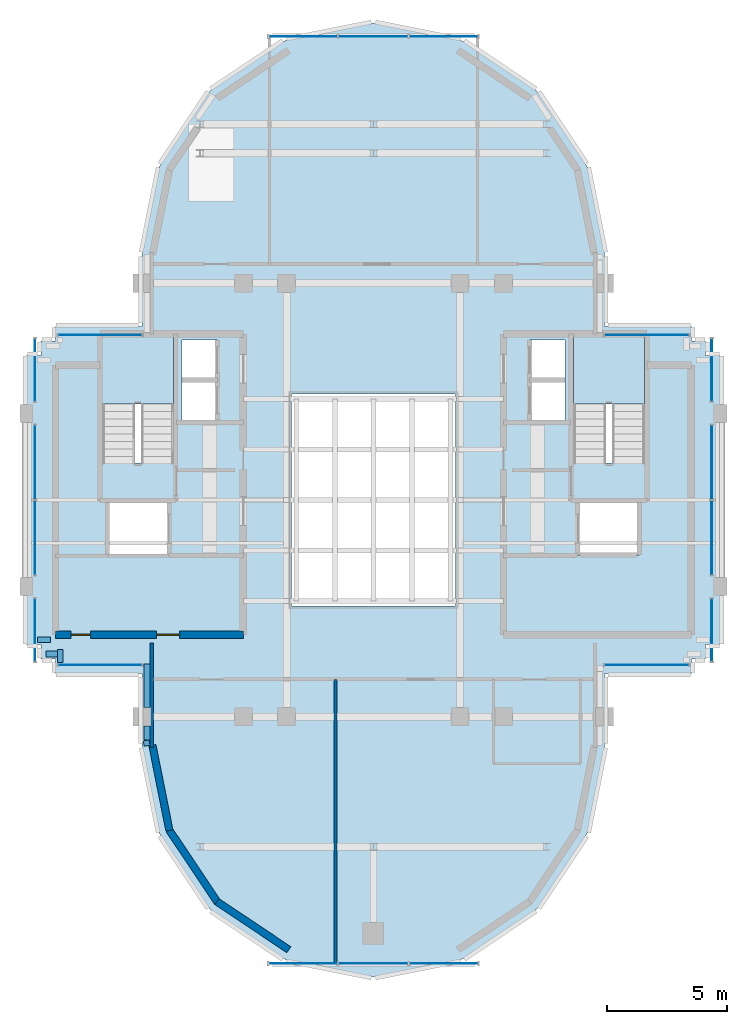
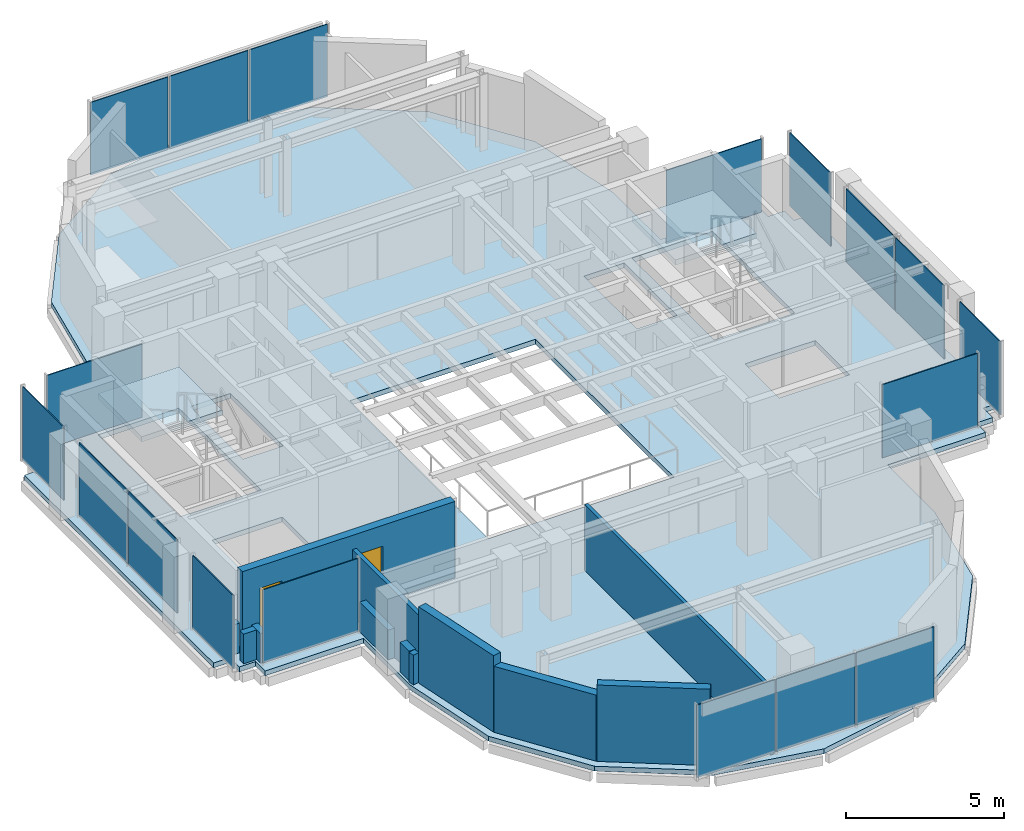
# One storey, part 6 of 11: 18 plates, 12 walls, 3 slabs, 2 doors, 2 openings, 14 elements without a shape of their own.
"""IFC4 building model written with IfcOpenShell, lengths in metres."""

from ifc_helpers import new_model, si_unit, direction, frame, frame_2d, origin, origin_2d, place, context, subcontext, project, spatial, polyline, rectangle, outline, extrude, source, transform, mapped, material, layer, layer_set, type_object, element, fill, aggregate, save


model = new_model("IFC4")

# Units and contexts
model_context = context("Model", 3, precision=1e-05, world=origin(), true_north=direction((0.0, 1.0)))
body_context = subcontext(model_context, "Body", "Model", "MODEL_VIEW")
ifc_project = project(units=[si_unit("LENGTHUNIT", "METRE"), si_unit("AREAUNIT", "SQUARE_METRE"), si_unit("VOLUMEUNIT", "CUBIC_METRE"), si_unit("PLANEANGLEUNIT", "RADIAN"), si_unit("MASSUNIT", "GRAM", prefix="KILO")], contexts=[model_context])

# Site, building, storey
site_placement = place(None, origin())
site = spatial("IfcSite", under=ifc_project, at=site_placement, CompositionType="ELEMENT")
building_placement = place(site_placement, origin())
building = spatial("IfcBuilding", under=site, at=building_placement, Name="Keilestroom Media Tower", CompositionType="ELEMENT")
storey_placement = place(building_placement, frame((0.0, 0.0, 268.39990234375)))
storey = spatial("IfcBuildingStorey", under=building, at=storey_placement, Name="L75", CompositionType="ELEMENT", Elevation=268.39990234375)

# Slab
ifc_material_1 = material(Name="Concrete C50/60", Category="concrete")
ifc_layer_1 = layer(ifc_material_1, 0.18994140625)
ifc_layer_set_1 = layer_set([ifc_layer_1], Name="Concrete C50/60")
slab_type_1 = type_object("IfcSlabType", Name="Composite-Floor-Slab-190", PredefinedType="FLOOR", material=ifc_layer_set_1)
slab_1_placement = place(storey_placement, frame((0.0, 0.0, -0.18994140625)))
element("IfcSlab", 1, at=slab_1_placement, inside=storey, type_object=slab_type_1, Name="L75 Structural Composite Floor Slab", PredefinedType="FLOOR", context=body_context, shape_type="SweptSolid", body=[
    extrude(outline(polyline([(14.39990234375, -6.0), (14.39990234375, 6.0), (13.800048828125, 6.0), (13.800048828125, 6.60009765625), (13.199951171875, 6.60009765625), (13.199951171875, 7.199951171875), (9.60009765625, 7.199951171875), (9.60009765625, 9.60009765625), (9.60009765625, 10.199951171875), (8.869140625, 13.873779296875), (6.7880859375, 16.98828125), (3.673828125, 19.069091796875), (0.0, 19.800048828125), (-3.673828125, 19.069091796875), (-6.7880859375, 16.98828125), (-8.869140625, 13.873779296875), (-9.60009765625, 10.199951171875), (-9.60009765625, 9.60009765625), (-9.60009765625, 7.199951171875), (-13.199951171875, 7.199951171875), (-13.199951171875, 6.60009765625), (-13.800048828125, 6.60009765625), (-13.800048828125, 6.0), (-14.39990234375, 6.0), (-14.39990234375, -6.0), (-13.800048828125, -6.0), (-13.800048828125, -6.60009765625), (-13.199951171875, -6.60009765625), (-13.199951171875, -7.199951171875), (-9.60009765625, -7.199951171875), (-9.60009765625, -9.60009765625), (-9.60009765625, -10.199951171875), (-8.869140625, -13.873779296875), (-6.7880859375, -16.98828125), (-3.673828125, -19.069091796875), (0.0, -19.800048828125), (3.673828125, -19.069091796875), (6.7880859375, -16.98828125), (8.869140625, -13.873779296875), (9.60009765625, -10.199951171875), (9.60009765625, -9.60009765625), (9.60009765625, -7.199951171875), (13.199951171875, -7.199951171875), (13.199951171875, -6.60009765625), (13.800048828125, -6.60009765625), (13.800048828125, -6.0), (14.39990234375, -6.0)]), holes=[polyline([(-8.300048828125, 1.544921875), (-11.260009765625, 1.544921875), (-11.260009765625, 6.760009765625), (-8.300048828125, 6.760009765625), (-8.300048828125, 1.544921875)]), polyline([(-8.47998046875, -2.280029296875), (-11.050048828125, -2.280029296875), (-11.050048828125, -0.10009765625), (-8.47998046875, -0.10009765625), (-8.47998046875, -2.280029296875)]), polyline([(-6.47998046875, 3.300048828125), (-7.949951171875, 3.300048828125), (-7.949951171875, 6.64990234375), (-6.47998046875, 6.64990234375), (-6.47998046875, 3.300048828125)]), polyline([(3.39990234375, -4.39990234375), (-3.39990234375, -4.39990234375), (-3.39990234375, 4.39990234375), (3.39990234375, 4.39990234375), (3.39990234375, -4.39990234375)]), polyline([(7.949951171875, 3.300048828125), (6.47998046875, 3.300048828125), (6.47998046875, 6.64990234375), (7.949951171875, 6.64990234375), (7.949951171875, 3.300048828125)]), polyline([(11.260009765625, 1.544921875), (8.300048828125, 1.544921875), (8.300048828125, 6.760009765625), (11.260009765625, 6.760009765625), (11.260009765625, 1.544921875)]), polyline([(11.050048828125, -2.280029296875), (8.47998046875, -2.280029296875), (8.47998046875, -0.10009765625), (11.050048828125, -0.10009765625), (11.050048828125, -2.280029296875)])]), origin(), (0.0, 0.0, 1.0), 0.18994140625),
])

# Stair, slab
ifc_material_2 = material(Name="Concrete C45/55", Category="concrete")
stair_type = type_object("IfcStairType", Name="Enclosed-Dog-Leg-Stair-ST-CORE", PredefinedType="HALF_TURN_STAIR", material=ifc_material_2)
stair_1_placement = place(storey_placement, origin())
stair_1 = element("IfcStair", 2, at=stair_1_placement, inside=storey, type_object=stair_type, Name="L75 West Core Escape Stair ST-1", PredefinedType="HALF_TURN_STAIR")
ifc_layer_2 = layer(ifc_material_2, 0.199951171875)
ifc_layer_set_2 = layer_set([ifc_layer_2], Name="Concrete C45/55")
slab_type_2 = type_object("IfcSlabType", Name="Stair-Intermediate-And-Top-Landing-Slab-200", PredefinedType="LANDING", material=ifc_layer_set_2)
slab_2_placement = place(storey_placement, frame((0.0, 0.0, 1.400146484375)))
slab_2 = element("IfcSlab", 3, at=slab_2_placement, type_object=slab_type_2, Name="ST-1 landing 1", PredefinedType="LANDING", context=body_context, shape_type="SweptSolid", body=[
    extrude(outline(polyline([(-8.300048828125, 3.99609375), (-8.300048828125, 6.760009765625), (-11.260009765625, 6.760009765625), (-11.260009765625, 3.99609375), (-8.300048828125, 3.99609375)])), origin(), (0.0, 0.0, 1.0), 0.199951171875),
])
aggregate(stair_1, [slab_2])

stair_2_placement = place(storey_placement, origin())
stair_2 = element("IfcStair", 4, at=stair_2_placement, inside=storey, type_object=stair_type, Name="L75 East Core Escape Stair ST-2", PredefinedType="HALF_TURN_STAIR")
slab_3_placement = place(storey_placement, frame((0.0, 0.0, 1.400146484375)))
slab_3 = element("IfcSlab", 5, at=slab_3_placement, type_object=slab_type_2, Name="ST-2 landing 1", PredefinedType="LANDING", context=body_context, shape_type="SweptSolid", body=[
    extrude(outline(polyline([(11.260009765625, 3.99609375), (11.260009765625, 6.760009765625), (8.300048828125, 6.760009765625), (8.300048828125, 3.99609375), (11.260009765625, 3.99609375)])), origin(), (0.0, 0.0, 1.0), 0.199951171875),
])
aggregate(stair_2, [slab_3])

# Curtain wall, plate
ifc_material_3 = material(Name="Anodised Aluminium Alloy", Category="aluminium")
curtain_wall_type_1 = type_object("IfcCurtainWallType", Name="Unitised-Curtain-Wall-CW-4", PredefinedType="NOTDEFINED", material=ifc_material_3)
curtain_wall_1_placement = place(storey_placement, origin())
curtain_wall_1 = element("IfcCurtainWall", 6, at=curtain_wall_1_placement, inside=storey, type_object=curtain_wall_type_1, Name="L75 Curtain Wall CW-4 CW-L75-W-1", PredefinedType="NOTDEFINED")
ifc_material_4 = material(Name="Triple Glazed Solar-Control Unit", Category="glass")
ifc_layer_3 = layer(ifc_material_4, 0.035888671875)
ifc_layer_set_3 = layer_set([ifc_layer_3], Name="Triple Glazed Solar-Control Unit")
plate_type_1 = type_object("IfcPlateType", Name="Insulated-Curtain-Wall-Glazing-Panel-CW-4", PredefinedType="CURTAIN_PANEL", material=ifc_layer_set_3)
shared_shape_1 = source(origin(), body_context, "Body", "SweptSolid", [
    extrude(rectangle(XDim=2.60302734375, YDim=0.035888671875, at=origin_2d()), origin(), (0.0, 0.0, 1.0), 2.833984375),
])
plate_1_placement = place(storey_placement, frame((-14.050048828125, -5.392578125, 0.06298828125), z_axis=(0.0, 0.0, 1.0), x_axis=(0.0, 1.0, 0.0)))
plate_1 = element("IfcPlate", 7, at=plate_1_placement, type_object=plate_type_1, Name="CW-4 Unitised Glazing 00", PredefinedType="CURTAIN_PANEL", context=body_context, shape_type="MappedRepresentation", body=[
    mapped(shared_shape_1, transform((0.0, 0.0, 0.0), x_axis=(1.0, 0.0, 0.0), y_axis=(0.0, 1.0, 0.0), z_axis=(0.0, 0.0, 1.0), scale=1.0)),
])
aggregate(curtain_wall_1, [plate_1])

curtain_wall_2_placement = place(storey_placement, origin())
curtain_wall_2 = element("IfcCurtainWall", 8, at=curtain_wall_2_placement, inside=storey, type_object=curtain_wall_type_1, Name="L75 Curtain Wall CW-4 CW-L75-W-3", PredefinedType="NOTDEFINED")
plate_2_placement = place(storey_placement, frame((-14.050048828125, 5.392578125, 0.06298828125), z_axis=(0.0, 0.0, 1.0), x_axis=(0.0, 1.0, 0.0)))
plate_2 = element("IfcPlate", 9, at=plate_2_placement, type_object=plate_type_1, Name="CW-4 Unitised Glazing 00", PredefinedType="CURTAIN_PANEL", context=body_context, shape_type="MappedRepresentation", body=[
    mapped(shared_shape_1, transform((0.0, 0.0, 0.0), x_axis=(1.0, 0.0, 0.0), y_axis=(0.0, 1.0, 0.0), z_axis=(0.0, 0.0, 1.0), scale=1.0)),
])
aggregate(curtain_wall_2, [plate_2])

curtain_wall_3_placement = place(storey_placement, origin())
curtain_wall_3 = element("IfcCurtainWall", 10, at=curtain_wall_3_placement, inside=storey, type_object=curtain_wall_type_1, Name="L75 Curtain Wall CW-4 CW-L75-E-1", PredefinedType="NOTDEFINED")
plate_3_placement = place(storey_placement, frame((14.050048828125, -5.392578125, 0.06298828125), z_axis=(0.0, 0.0, 1.0), x_axis=(0.0, 1.0, 0.0)))
plate_3 = element("IfcPlate", 11, at=plate_3_placement, type_object=plate_type_1, Name="CW-4 Unitised Glazing 00", PredefinedType="CURTAIN_PANEL", context=body_context, shape_type="MappedRepresentation", body=[
    mapped(shared_shape_1, transform((0.0, 0.0, 0.0), x_axis=(1.0, 0.0, 0.0), y_axis=(0.0, 1.0, 0.0), z_axis=(0.0, 0.0, 1.0), scale=1.0)),
])
aggregate(curtain_wall_3, [plate_3])

curtain_wall_4_placement = place(storey_placement, origin())
curtain_wall_4 = element("IfcCurtainWall", 12, at=curtain_wall_4_placement, inside=storey, type_object=curtain_wall_type_1, Name="L75 Curtain Wall CW-4 CW-L75-E-3", PredefinedType="NOTDEFINED")
plate_4_placement = place(storey_placement, frame((14.050048828125, 5.392578125, 0.06298828125), z_axis=(0.0, 0.0, 1.0), x_axis=(0.0, 1.0, 0.0)))
plate_4 = element("IfcPlate", 13, at=plate_4_placement, type_object=plate_type_1, Name="CW-4 Unitised Glazing 00", PredefinedType="CURTAIN_PANEL", context=body_context, shape_type="MappedRepresentation", body=[
    mapped(shared_shape_1, transform((0.0, 0.0, 0.0), x_axis=(1.0, 0.0, 0.0), y_axis=(0.0, 1.0, 0.0), z_axis=(0.0, 0.0, 1.0), scale=1.0)),
])
aggregate(curtain_wall_4, [plate_4])

# Curtain wall, plates
curtain_wall_5_placement = place(storey_placement, origin())
curtain_wall_5 = element("IfcCurtainWall", 14, at=curtain_wall_5_placement, inside=storey, type_object=curtain_wall_type_1, Name="L75 Curtain Wall CW-4 CW-L75-W-2", PredefinedType="NOTDEFINED")
shared_shape_2 = source(origin(), body_context, "Body", "SweptSolid", [
    extrude(rectangle(XDim=3.0830078125, YDim=0.035888671875, at=origin_2d()), origin(), (0.0, 0.0, 1.0), 2.833984375),
])
plate_5_placement = place(storey_placement, frame((-14.050048828125, -1.5673828125, 0.06298828125), z_axis=(0.0, 0.0, 1.0), x_axis=(0.0, 1.0, 0.0)))
plate_5 = element("IfcPlate", 15, at=plate_5_placement, type_object=plate_type_1, Name="CW-4 Unitised Glazing 00", PredefinedType="CURTAIN_PANEL", context=body_context, shape_type="MappedRepresentation", body=[
    mapped(shared_shape_2, transform((0.0, 0.0, 0.0), x_axis=(1.0, 0.0, 0.0), y_axis=(0.0, 1.0, 0.0), z_axis=(0.0, 0.0, 1.0), scale=1.0)),
])
plate_6_placement = place(storey_placement, frame((-14.050048828125, 1.5673828125, 0.06298828125), z_axis=(0.0, 0.0, 1.0), x_axis=(0.0, 1.0, 0.0)))
plate_6 = element("IfcPlate", 16, at=plate_6_placement, type_object=plate_type_1, Name="CW-4 Unitised Glazing 01", PredefinedType="CURTAIN_PANEL", context=body_context, shape_type="MappedRepresentation", body=[
    mapped(shared_shape_2, transform((0.0, 0.0, 0.0), x_axis=(1.0, 0.0, 0.0), y_axis=(0.0, 1.0, 0.0), z_axis=(0.0, 0.0, 1.0), scale=1.0)),
])
aggregate(curtain_wall_5, [plate_5, plate_6])

curtain_wall_6_placement = place(storey_placement, origin())
curtain_wall_6 = element("IfcCurtainWall", 17, at=curtain_wall_6_placement, inside=storey, type_object=curtain_wall_type_1, Name="L75 Curtain Wall CW-4 CW-L75-E-2", PredefinedType="NOTDEFINED")
plate_7_placement = place(storey_placement, frame((14.050048828125, -1.5673828125, 0.06298828125), z_axis=(0.0, 0.0, 1.0), x_axis=(0.0, 1.0, 0.0)))
plate_7 = element("IfcPlate", 18, at=plate_7_placement, type_object=plate_type_1, Name="CW-4 Unitised Glazing 00", PredefinedType="CURTAIN_PANEL", context=body_context, shape_type="MappedRepresentation", body=[
    mapped(shared_shape_2, transform((0.0, 0.0, 0.0), x_axis=(1.0, 0.0, 0.0), y_axis=(0.0, 1.0, 0.0), z_axis=(0.0, 0.0, 1.0), scale=1.0)),
])
plate_8_placement = place(storey_placement, frame((14.050048828125, 1.5673828125, 0.06298828125), z_axis=(0.0, 0.0, 1.0), x_axis=(0.0, 1.0, 0.0)))
plate_8 = element("IfcPlate", 19, at=plate_8_placement, type_object=plate_type_1, Name="CW-4 Unitised Glazing 01", PredefinedType="CURTAIN_PANEL", context=body_context, shape_type="MappedRepresentation", body=[
    mapped(shared_shape_2, transform((0.0, 0.0, 0.0), x_axis=(1.0, 0.0, 0.0), y_axis=(0.0, 1.0, 0.0), z_axis=(0.0, 0.0, 1.0), scale=1.0)),
])
aggregate(curtain_wall_6, [plate_7, plate_8])

# Curtain wall, plate
curtain_wall_7_placement = place(storey_placement, origin())
curtain_wall_7 = element("IfcCurtainWall", 20, at=curtain_wall_7_placement, inside=storey, type_object=curtain_wall_type_1, Name="L75 Curtain Wall CW-4 CW-L75-NW-1", PredefinedType="NOTDEFINED")
shared_shape_3 = source(origin(), body_context, "Body", "SweptSolid", [
    extrude(rectangle(XDim=3.488037109375, YDim=0.035888671875, at=origin_2d()), origin(), (0.0, 0.0, 1.0), 2.833984375),
])
plate_9_placement = place(storey_placement, frame((-11.35009765625, 6.85009765625, 0.06298828125), z_axis=(0.0, 0.0, 1.0), x_axis=(1.0, 0.0, 0.0)))
plate_9 = element("IfcPlate", 21, at=plate_9_placement, type_object=plate_type_1, Name="CW-4 Unitised Glazing 00", PredefinedType="CURTAIN_PANEL", context=body_context, shape_type="MappedRepresentation", body=[
    mapped(shared_shape_3, transform((0.0, 0.0, 0.0), x_axis=(1.0, 0.0, 0.0), y_axis=(0.0, 1.0, 0.0), z_axis=(0.0, 0.0, 1.0), scale=1.0)),
])
aggregate(curtain_wall_7, [plate_9])

curtain_wall_8_placement = place(storey_placement, origin())
curtain_wall_8 = element("IfcCurtainWall", 22, at=curtain_wall_8_placement, inside=storey, type_object=curtain_wall_type_1, Name="L75 Curtain Wall CW-4 CW-L75-NE-1", PredefinedType="NOTDEFINED")
plate_10_placement = place(storey_placement, frame((11.35009765625, 6.85009765625, 0.06298828125), z_axis=(0.0, 0.0, 1.0), x_axis=(1.0, 0.0, 0.0)))
plate_10 = element("IfcPlate", 23, at=plate_10_placement, type_object=plate_type_1, Name="CW-4 Unitised Glazing 00", PredefinedType="CURTAIN_PANEL", context=body_context, shape_type="MappedRepresentation", body=[
    mapped(shared_shape_3, transform((0.0, 0.0, 0.0), x_axis=(1.0, 0.0, 0.0), y_axis=(0.0, 1.0, 0.0), z_axis=(0.0, 0.0, 1.0), scale=1.0)),
])
aggregate(curtain_wall_8, [plate_10])

curtain_wall_9_placement = place(storey_placement, origin())
curtain_wall_9 = element("IfcCurtainWall", 24, at=curtain_wall_9_placement, inside=storey, type_object=curtain_wall_type_1, Name="L75 Curtain Wall CW-4 CW-L75-SW-1", PredefinedType="NOTDEFINED")
plate_11_placement = place(storey_placement, frame((-11.35009765625, -6.85009765625, 0.06298828125), z_axis=(0.0, 0.0, 1.0), x_axis=(1.0, 0.0, 0.0)))
plate_11 = element("IfcPlate", 25, at=plate_11_placement, type_object=plate_type_1, Name="CW-4 Unitised Glazing 00", PredefinedType="CURTAIN_PANEL", context=body_context, shape_type="MappedRepresentation", body=[
    mapped(shared_shape_3, transform((0.0, 0.0, 0.0), x_axis=(1.0, 0.0, 0.0), y_axis=(0.0, 1.0, 0.0), z_axis=(0.0, 0.0, 1.0), scale=1.0)),
])
aggregate(curtain_wall_9, [plate_11])

curtain_wall_10_placement = place(storey_placement, origin())
curtain_wall_10 = element("IfcCurtainWall", 26, at=curtain_wall_10_placement, inside=storey, type_object=curtain_wall_type_1, Name="L75 Curtain Wall CW-4 CW-L75-SE-1", PredefinedType="NOTDEFINED")
plate_12_placement = place(storey_placement, frame((11.35009765625, -6.85009765625, 0.06298828125), z_axis=(0.0, 0.0, 1.0), x_axis=(1.0, 0.0, 0.0)))
plate_12 = element("IfcPlate", 27, at=plate_12_placement, type_object=plate_type_1, Name="CW-4 Unitised Glazing 00", PredefinedType="CURTAIN_PANEL", context=body_context, shape_type="MappedRepresentation", body=[
    mapped(shared_shape_3, transform((0.0, 0.0, 0.0), x_axis=(1.0, 0.0, 0.0), y_axis=(0.0, 1.0, 0.0), z_axis=(0.0, 0.0, 1.0), scale=1.0)),
])
aggregate(curtain_wall_10, [plate_12])

# Curtain wall, plates
curtain_wall_type_2 = type_object("IfcCurtainWallType", Name="Unitised-Curtain-Wall-CW-6", PredefinedType="NOTDEFINED", material=ifc_material_3)
curtain_wall_11_placement = place(storey_placement, origin())
curtain_wall_11 = element("IfcCurtainWall", 28, at=curtain_wall_11_placement, inside=storey, type_object=curtain_wall_type_2, Name="L75 Curtain Wall CW-6 CW-L75-LN-1", PredefinedType="NOTDEFINED")
ifc_material_5 = material(Name="Curved-Facet Triple Glazed Unit", Category="glass")
ifc_layer_4 = layer(ifc_material_5, 0.033935546875)
ifc_layer_set_4 = layer_set([ifc_layer_4], Name="Curved-Facet Triple Glazed Unit")
plate_type_2 = type_object("IfcPlateType", Name="Insulated-Curtain-Wall-Glazing-Panel-CW-6", PredefinedType="CURTAIN_PANEL", material=ifc_layer_set_4)
shared_shape_4 = source(origin(), body_context, "Body", "SweptSolid", [
    extrude(rectangle(XDim=2.84375, YDim=0.033935546875, at=origin_2d()), origin(), (0.0, 0.0, 1.0), 2.81396484375),
])
plate_13_placement = place(storey_placement, frame((-2.9169921875, 19.25, 0.072998046875), z_axis=(0.0, 0.0, 1.0), x_axis=(1.0, 0.0, 0.0)))
plate_13 = element("IfcPlate", 29, at=plate_13_placement, type_object=plate_type_2, Name="CW-6 Unitised Glazing 00", PredefinedType="CURTAIN_PANEL", context=body_context, shape_type="MappedRepresentation", body=[
    mapped(shared_shape_4, transform((0.0, 0.0, 0.0), x_axis=(1.0, 0.0, 0.0), y_axis=(0.0, 1.0, 0.0), z_axis=(0.0, 0.0, 1.0), scale=1.0)),
])
plate_14_placement = place(storey_placement, frame((2.9169921875, 19.25, 0.072998046875), z_axis=(0.0, 0.0, 1.0), x_axis=(1.0, 0.0, 0.0)))
plate_14 = element("IfcPlate", 30, at=plate_14_placement, type_object=plate_type_2, Name="CW-6 Unitised Glazing 02", PredefinedType="CURTAIN_PANEL", context=body_context, shape_type="MappedRepresentation", body=[
    mapped(shared_shape_4, transform((0.0, 0.0, 0.0), x_axis=(1.0, 0.0, 0.0), y_axis=(0.0, 1.0, 0.0), z_axis=(0.0, 0.0, 1.0), scale=1.0)),
])

curtain_wall_12_placement = place(storey_placement, origin())
curtain_wall_12 = element("IfcCurtainWall", 31, at=curtain_wall_12_placement, inside=storey, type_object=curtain_wall_type_2, Name="L75 Curtain Wall CW-6 CW-L75-LS-1", PredefinedType="NOTDEFINED")
plate_15_placement = place(storey_placement, frame((-2.9169921875, -19.25, 0.072998046875), z_axis=(0.0, 0.0, 1.0), x_axis=(1.0, 0.0, 0.0)))
plate_15 = element("IfcPlate", 32, at=plate_15_placement, type_object=plate_type_2, Name="CW-6 Unitised Glazing 00", PredefinedType="CURTAIN_PANEL", context=body_context, shape_type="MappedRepresentation", body=[
    mapped(shared_shape_4, transform((0.0, 0.0, 0.0), x_axis=(1.0, 0.0, 0.0), y_axis=(0.0, 1.0, 0.0), z_axis=(0.0, 0.0, 1.0), scale=1.0)),
])
plate_16_placement = place(storey_placement, frame((2.9169921875, -19.25, 0.072998046875), z_axis=(0.0, 0.0, 1.0), x_axis=(1.0, 0.0, 0.0)))
plate_16 = element("IfcPlate", 33, at=plate_16_placement, type_object=plate_type_2, Name="CW-6 Unitised Glazing 02", PredefinedType="CURTAIN_PANEL", context=body_context, shape_type="MappedRepresentation", body=[
    mapped(shared_shape_4, transform((0.0, 0.0, 0.0), x_axis=(1.0, 0.0, 0.0), y_axis=(0.0, 1.0, 0.0), z_axis=(0.0, 0.0, 1.0), scale=1.0)),
])

# Plate
shared_shape_5 = source(origin(), body_context, "Body", "SweptSolid", [
    extrude(rectangle(XDim=2.876220703125, YDim=0.033935546875, at=origin_2d()), origin(), (0.0, 0.0, 1.0), 2.81396484375),
])
plate_17_placement = place(storey_placement, frame((0.0, 19.25, 0.072998046875), z_axis=(0.0, 0.0, 1.0), x_axis=(1.0, 0.0, 0.0)))
plate_17 = element("IfcPlate", 34, at=plate_17_placement, type_object=plate_type_2, Name="CW-6 Unitised Glazing 01", PredefinedType="CURTAIN_PANEL", context=body_context, shape_type="MappedRepresentation", body=[
    mapped(shared_shape_5, transform((0.0, 0.0, 0.0), x_axis=(1.0, 0.0, 0.0), y_axis=(0.0, 1.0, 0.0), z_axis=(0.0, 0.0, 1.0), scale=1.0)),
])

aggregate(curtain_wall_11, [plate_13, plate_17, plate_14])

plate_18_placement = place(storey_placement, frame((0.0, -19.25, 0.072998046875), z_axis=(0.0, 0.0, 1.0), x_axis=(1.0, 0.0, 0.0)))
plate_18 = element("IfcPlate", 35, at=plate_18_placement, type_object=plate_type_2, Name="CW-6 Unitised Glazing 01", PredefinedType="CURTAIN_PANEL", context=body_context, shape_type="MappedRepresentation", body=[
    mapped(shared_shape_5, transform((0.0, 0.0, 0.0), x_axis=(1.0, 0.0, 0.0), y_axis=(0.0, 1.0, 0.0), z_axis=(0.0, 0.0, 1.0), scale=1.0)),
])

aggregate(curtain_wall_12, [plate_15, plate_18, plate_16])

# Walls
ifc_material_6 = material(Name="Precast concrete C40/50", Category="concrete")
ifc_layer_5 = layer(ifc_material_6, 0.300048828125)
ifc_layer_set_5 = layer_set([ifc_layer_5], Name="Precast concrete C40/50")
wall_type_1 = type_object("IfcWallType", Name="Exterior-Masonry-Spandrel-Wall-300", PredefinedType="SOLIDWALL", material=ifc_layer_set_5)
wall_1_placement = place(storey_placement, frame((-9.1748046875, -10.185302734375, 0.0), z_axis=(0.0, 0.0, 1.0), x_axis=(0.195114232679, -0.980780523974, 0.0)))
element("IfcWall", 36, at=wall_1_placement, inside=storey, type_object=wall_type_1, Name="L75 Lobe Facet Precast Frame Wall 07", PredefinedType="SOLIDWALL", context=body_context, shape_type="SweptSolid", body=[
    extrude(rectangle(XDim=3.608642578125, YDim=0.300048828125, at=frame_2d((1.80419921875, 0.0))), origin(), (0.0, 0.0, 1.0), 2.960205078125),
])
wall_2_placement = place(storey_placement, frame((-8.48193359375, -13.697509765625, 0.0), z_axis=(0.0, 0.0, 1.0), x_axis=(0.555574187116, -0.831466970246, 0.0)))
element("IfcWall", 37, at=wall_2_placement, inside=storey, type_object=wall_type_1, Name="L75 Lobe Facet Precast Frame Wall 08", PredefinedType="SOLIDWALL", context=body_context, shape_type="SweptSolid", body=[
    extrude(rectangle(XDim=3.608642578125, YDim=0.300048828125, at=frame_2d((1.80419921875, 0.0))), origin(), (0.0, 0.0, 1.0), 2.56005859375),
])
wall_3_placement = place(storey_placement, frame((-6.497802734375, -16.677001953125, 0.0), z_axis=(0.0, 0.0, 1.0), x_axis=(0.831443568068, -0.555609208993, 0.0)))
element("IfcWall", 38, at=wall_3_placement, inside=storey, type_object=wall_type_1, Name="L75 Lobe Facet Precast Frame Wall 09", PredefinedType="SOLIDWALL", context=body_context, shape_type="SweptSolid", body=[
    extrude(rectangle(XDim=3.593505859375, YDim=0.300048828125, at=frame_2d((1.796875, 0.0))), origin(), (0.0, 0.0, 1.0), 2.960205078125),
])
ifc_material_7 = material(Name="Gypsum Plasterboard & Steel Stud", Category="steel")
ifc_layer_6 = layer(ifc_material_7, 0.1201171875)
ifc_layer_set_6 = layer_set([ifc_layer_6], Name="Gypsum Plasterboard & Steel Stud")
wall_type_2 = type_object("IfcWallType", Name="Interior-Partition-Wall-120", PredefinedType="PARTITIONING", material=ifc_layer_set_6)
wall_4_placement = place(storey_placement, frame((-1.580078125, -19.25, 0.0), z_axis=(0.0, 0.0, 1.0), x_axis=(0.0, 1.0, 0.0)))
element("IfcWall", 39, at=wall_4_placement, inside=storey, type_object=wall_type_2, Name="L75 Interior Wall WP-L75-SL-VS", PredefinedType="PARTITIONING", context=body_context, shape_type="SweptSolid", body=[
    extrude(rectangle(XDim=11.800048828125, YDim=0.1201171875, at=frame_2d((5.89990234375, 0.0))), origin(), (0.0, 0.0, 1.0), 2.56005859375),
])
ifc_layer_7 = layer(ifc_material_7, 0.14990234375)
ifc_layer_set_7 = layer_set([ifc_layer_7], Name="Gypsum Plasterboard & Steel Stud")
wall_type_3 = type_object("IfcWallType", Name="Interior-Partition-Wall-150", PredefinedType="PARTITIONING", material=ifc_layer_set_7)
wall_5_placement = place(storey_placement, frame((-9.199951171875, -10.280029296875, 0.0), z_axis=(0.0, 0.0, 1.0), x_axis=(0.0, 1.0, 0.0)))
element("IfcWall", 40, at=wall_5_placement, inside=storey, type_object=wall_type_3, Name="L75 Interior Wall WP-L75-SL-CHKW", PredefinedType="PARTITIONING", context=body_context, shape_type="SweptSolid", body=[
    extrude(rectangle(XDim=4.340087890625, YDim=0.14990234375, at=frame_2d((2.169921875, 0.0))), origin(), (0.0, 0.0, 1.0), 2.56005859375),
])

# Wall, openings, doors
ifc_layer_8 = layer(ifc_material_1, 0.300048828125)
ifc_layer_set_8 = layer_set([ifc_layer_8], Name="Concrete C50/60")
wall_type_4 = type_object("IfcWallType", Name="Reinforced-Concrete-Core-Shear-Wall-300", PredefinedType="SHEAR", material=ifc_layer_set_8)
wall_6_placement = place(storey_placement, frame((-13.199951171875, -5.60009765625, 0.0), z_axis=(0.0, 0.0, 1.0), x_axis=(1.0, 0.0, 0.0)))
wall_6 = element("IfcWall", 41, at=wall_6_placement, inside=storey, type_object=wall_type_4, Name="L75 Core Shear Wall WL-L75-CORE-W-S", PredefinedType="SHEAR", context=body_context, shape_type="SweptSolid", body=[
    extrude(rectangle(XDim=7.800048828125, YDim=0.300048828125, at=frame_2d((3.89990234375, 0.0))), origin(), (0.0, 0.0, 1.0), 2.960205078125),
])
opening_1_placement = place(wall_6_placement, frame((0.64990234375, 0.0, 0.0)))
opening_1 = element("IfcOpeningElement", 42, at=opening_1_placement, cuts=wall_6, Name="Opening DI-06", PredefinedType="OPENING", context=body_context, shape_type="SweptSolid", body=[
    extrude(rectangle(XDim=0.800048828125, YDim=2.10009765625, at=frame_2d((0.39990234375, 1.050048828125))), frame((0.0, 0.16015625, 0.0), z_axis=(0.0, -1.0, 0.0), x_axis=(1.0, 0.0, 0.0)), (0.0, 0.0, 1.0), 0.320068359375),
])
opening_2_placement = place(wall_6_placement, frame((4.199951171875, 0.0, 0.0)))
opening_2 = element("IfcOpeningElement", 43, at=opening_2_placement, cuts=wall_6, Name="Opening DI-03", PredefinedType="OPENING", context=body_context, shape_type="SweptSolid", body=[
    extrude(rectangle(XDim=0.949951171875, YDim=2.14990234375, at=frame_2d((0.47509765625, 1.074951171875))), frame((0.0, 0.16015625, 0.0), z_axis=(0.0, -1.0, 0.0), x_axis=(1.0, 0.0, 0.0)), (0.0, 0.0, 1.0), 0.320068359375),
])
ifc_material_8 = material(Name="Powder-Coated Steel Service Leaf", Category="steel")
door_type_1 = type_object("IfcDoorType", Name="Interior-Riser-Access-Door-DI-06", OperationType="NOTDEFINED", PredefinedType="DOOR", material=ifc_material_8)
shared_shape_6 = source(origin(), body_context, "Body", "SweptSolid", [
    extrude(rectangle(XDim=0.800048828125, YDim=2.10009765625, at=frame_2d((0.39990234375, 1.050048828125))), frame((0.0, 0.02490234375, 0.0), z_axis=(0.0, -1.0, 0.0), x_axis=(1.0, 0.0, 0.0)), (0.0, 0.0, 1.0), 0.050048828125),
])
door_1_placement = place(opening_1_placement, origin())
door_1 = element("IfcDoor", 44, at=door_1_placement, inside=storey, type_object=door_type_1, Name="L75 Reclaimed West Core Room Door", OperationType="SINGLE_SWING_LEFT", OverallHeight=2.10009765625, OverallWidth=0.800048828125, PredefinedType="DOOR", context=body_context, shape_type="MappedRepresentation", body=[
    mapped(shared_shape_6, transform((0.0, 0.0, 0.0), x_axis=(1.0, 0.0, 0.0), y_axis=(0.0, 1.0, 0.0), z_axis=(0.0, 0.0, 1.0), scale=1.0)),
])
fill(opening_1, door_1)
ifc_material_9 = material(Name="Lacquered European Oak Leaf", Category="wood")
door_type_2 = type_object("IfcDoorType", Name="Interior-Room-And-Suite-Door-DI-03", OperationType="NOTDEFINED", PredefinedType="DOOR", material=ifc_material_9)
shared_shape_7 = source(origin(), body_context, "Body", "SweptSolid", [
    extrude(rectangle(XDim=0.949951171875, YDim=2.14990234375, at=frame_2d((0.47509765625, 1.074951171875))), frame((0.0, 0.02490234375, 0.0), z_axis=(0.0, -1.0, 0.0), x_axis=(1.0, 0.0, 0.0)), (0.0, 0.0, 1.0), 0.050048828125),
])
door_2_placement = place(opening_2_placement, origin())
door_2 = element("IfcDoor", 45, at=door_2_placement, inside=storey, type_object=door_type_2, Name="L75 Reclaimed Mid West Room Door", OperationType="SINGLE_SWING_LEFT", OverallHeight=2.14990234375, OverallWidth=0.949951171875, PredefinedType="DOOR", context=body_context, shape_type="MappedRepresentation", body=[
    mapped(shared_shape_7, transform((0.0, 0.0, 0.0), x_axis=(1.0, 0.0, 0.0), y_axis=(0.0, 1.0, 0.0), z_axis=(0.0, 0.0, 1.0), scale=1.0)),
])
fill(opening_2, door_2)

# Walls
ifc_layer_9 = layer(ifc_material_6, 0.239990234375)
ifc_layer_set_9 = layer_set([ifc_layer_9], Name="Precast concrete C40/50")
wall_type_5 = type_object("IfcWallType", Name="Roof-And-Terrace-Parapet-Wall-240", PredefinedType="PARAPET", material=ifc_layer_set_9)
wall_7_placement = place(storey_placement, frame((-9.395263671875, -10.2041015625, 0.0), z_axis=(0.0, 0.0, 1.0), x_axis=(-0.194859894132, 0.980831087221, 0.0)))
element("IfcWall", 46, at=wall_7_placement, inside=storey, type_object=wall_type_5, Name="L75 Perimeter Edge Parapet Wall 07", PredefinedType="PARAPET", context=body_context, shape_type="SweptSolid", body=[
    extrude(rectangle(XDim=0.224365234375, YDim=0.239990234375, at=frame_2d((0.1123046875, 0.0))), origin(), (0.0, 0.0, 1.0), 1.150146484375),
])
wall_8_placement = place(storey_placement, frame((-9.39990234375, -9.957763671875, 0.0), z_axis=(0.0, 0.0, 1.0), x_axis=(0.0, 1.0, 0.0)))
element("IfcWall", 47, at=wall_8_placement, inside=storey, type_object=wall_type_5, Name="L75 Perimeter Edge Parapet Wall 08", PredefinedType="PARAPET", context=body_context, shape_type="SweptSolid", body=[
    extrude(rectangle(XDim=0.579833984375, YDim=0.239990234375, at=frame_2d((0.2900390625, 0.0))), origin(), (0.0, 0.0, 1.0), 1.150146484375),
])
wall_9_placement = place(storey_placement, frame((-9.39990234375, -8.6220703125, 0.0), z_axis=(0.0, 0.0, 1.0), x_axis=(0.0, 1.0, 0.0)))
element("IfcWall", 48, at=wall_9_placement, inside=storey, type_object=wall_type_5, Name="L75 Perimeter Edge Parapet Wall 09", PredefinedType="PARAPET", context=body_context, shape_type="SweptSolid", body=[
    extrude(rectangle(XDim=1.802978515625, YDim=0.239990234375, at=frame_2d((0.9013671875, 0.0))), origin(), (0.0, 0.0, 1.0), 1.150146484375),
])
wall_10_placement = place(storey_placement, frame((-13.0, -6.757080078125, 0.0), z_axis=(0.0, 0.0, 1.0), x_axis=(0.0, 1.0, 0.0)))
element("IfcWall", 49, at=wall_10_placement, inside=storey, type_object=wall_type_5, Name="L75 Perimeter Edge Parapet Wall 10", PredefinedType="PARAPET", context=body_context, shape_type="SweptSolid", body=[
    extrude(rectangle(XDim=0.55712890625, YDim=0.239990234375, at=frame_2d((0.278564453125, 0.0))), origin(), (0.0, 0.0, 1.0), 1.150146484375),
])
wall_11_placement = place(storey_placement, frame((-13.123046875, -6.39990234375, 0.0), z_axis=(0.0, 0.0, 1.0), x_axis=(-1.0, 0.0, 0.0)))
element("IfcWall", 50, at=wall_11_placement, inside=storey, type_object=wall_type_5, Name="L75 Perimeter Edge Parapet Wall 11", PredefinedType="PARAPET", context=body_context, shape_type="SweptSolid", body=[
    extrude(rectangle(XDim=0.47705078125, YDim=0.239990234375, at=frame_2d((0.238525390625, 0.0))), origin(), (0.0, 0.0, 1.0), 1.150146484375),
])
wall_12_placement = place(storey_placement, frame((-13.39990234375, -5.800048828125, 0.0), z_axis=(0.0, 0.0, 1.0), x_axis=(-1.0, 0.0, 0.0)))
element("IfcWall", 51, at=wall_12_placement, inside=storey, type_object=wall_type_5, Name="L75 Perimeter Edge Parapet Wall 12", PredefinedType="PARAPET", context=body_context, shape_type="SweptSolid", body=[
    extrude(rectangle(XDim=0.55712890625, YDim=0.239990234375, at=frame_2d((0.278564453125, 0.0))), origin(), (0.0, 0.0, 1.0), 1.150146484375),
])

save(model, "model.ifc")
